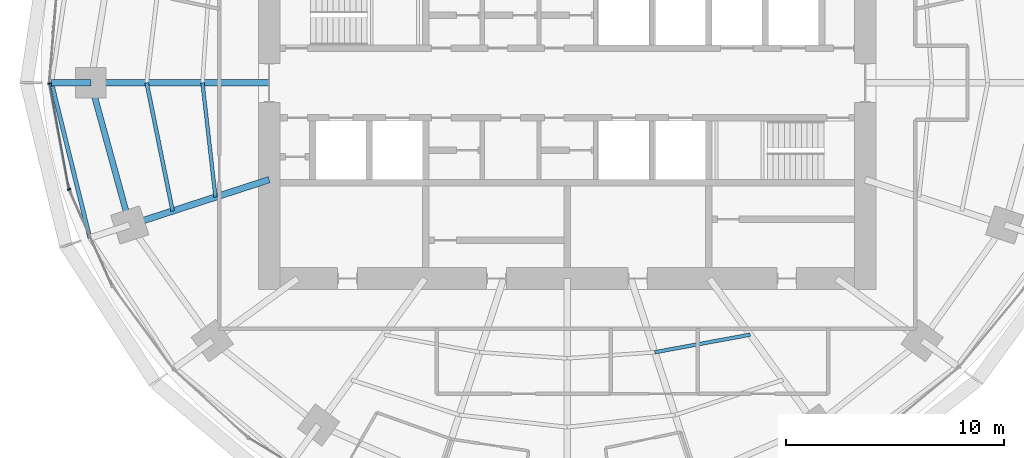
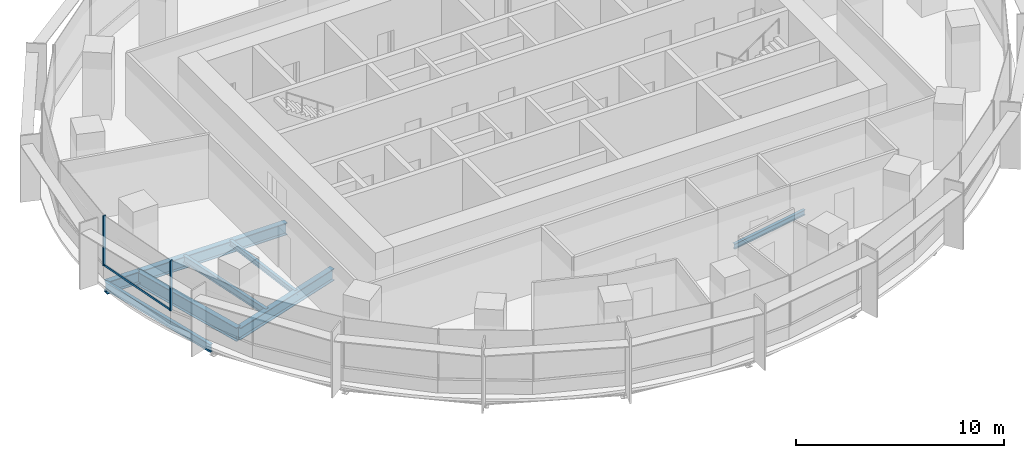
# One storey, part 3 of 15: 8 beams, 3 members, 1 element without a shape of its own.
"""IFC4 building model written with IfcOpenShell, lengths in metres."""

from ifc_helpers import new_model, si_unit, direction, frame, origin, origin_2d, place, context, subcontext, project, spatial, rectangle, i_section, extrude, material, material_profile, profile_set, type_object, element, aggregate, save


model = new_model("IFC4")

# Units and contexts
model_context = context("Model", 3, precision=1e-05, world=origin(), true_north=direction((0.0, 1.0)))
body_context = subcontext(model_context, "Body", "Model", "MODEL_VIEW")
ifc_project = project(units=[si_unit("LENGTHUNIT", "METRE"), si_unit("AREAUNIT", "SQUARE_METRE"), si_unit("VOLUMEUNIT", "CUBIC_METRE"), si_unit("PLANEANGLEUNIT", "RADIAN"), si_unit("MASSUNIT", "GRAM", prefix="KILO")], contexts=[model_context])

# Site, building, storey
site_placement = place(None, origin())
site = spatial("IfcSite", under=ifc_project, at=site_placement, CompositionType="ELEMENT")
building_placement = place(site_placement, origin())
building = spatial("IfcBuilding", under=site, at=building_placement, Name="Marramba Exchange Tower", CompositionType="ELEMENT")
storey_placement = place(building_placement, frame((0.0, 0.0, 226.699951171875)))
storey = spatial("IfcBuildingStorey", under=building, at=storey_placement, Name="L55", CompositionType="ELEMENT", Elevation=226.699951171875)

# Beams
ifc_material_1 = material(Name="Steel AS/NZS 3679.2 grade 300", Category="steel")
ifc_material_profile_1 = material_profile(ifc_material_1, i_section(OverallWidth=0.300048828125, OverallDepth=0.699951171875, WebThickness=0.010009765625, FlangeThickness=0.031982421875, at=origin_2d()), Name="700WB173")
ifc_profile_set_1 = profile_set([ifc_material_profile_1], Name="Steel AS/NZS 3679.2 grade 300")
beam_type_1 = type_object("IfcBeamType", Name="Cantilever girder 700WB173", PredefinedType="BEAM", material=ifc_profile_set_1)
beam_1_placement = place(storey_placement, frame((-21.89990234375, 0.0, -0.510009765625), z_axis=(-1.0, 0.0, 0.0), x_axis=(0.0, -1.0, 0.0)))
element("IfcBeam", 1, at=beam_1_placement, inside=storey, type_object=beam_type_1, Name="Cantilever girder L55 TC11", PredefinedType="BEAM", context=body_context, shape_type="SweptSolid", body=[
    extrude(i_section(OverallWidth=0.300048828125, OverallDepth=0.699951171875, WebThickness=0.010009765625, FlangeThickness=0.031982421875, at=origin_2d()), origin(), (0.0, 0.0, 1.0), 1.80615234375),
])
ifc_material_2 = material(Name="Steel AS/NZS 3679.1 grade 300", Category="steel")
ifc_material_profile_2 = material_profile(ifc_material_2, i_section(OverallWidth=0.166015625, OverallDepth=0.306884765625, WebThickness=0.006591796875, FlangeThickness=0.01171875, FilletRadius=0.011474609375, at=origin_2d()), Name="310UB46.2")
ifc_profile_set_2 = profile_set([ifc_material_profile_2], Name="Steel AS/NZS 3679.1 grade 300")
beam_type_2 = type_object("IfcBeamType", Name="Floor joist 310UB46.2", PredefinedType="JOIST", material=ifc_profile_set_2)
beam_2_placement = place(storey_placement, frame((-16.7666015625, 0.0, -0.3134765625), z_axis=(0.112888968594, -0.993607609054, 0.0), x_axis=(0.993607609054, 0.112888968594, 0.0)))
element("IfcBeam", 2, at=beam_2_placement, inside=storey, type_object=beam_type_2, Name="Joist L55 bay 11 row 1", PredefinedType="JOIST", context=body_context, shape_type="SweptSolid", body=[
    extrude(i_section(OverallWidth=0.166015625, OverallDepth=0.306884765625, WebThickness=0.006591796875, FlangeThickness=0.01171875, FilletRadius=0.011474609375, at=origin_2d()), origin(), (0.0, 0.0, 1.0), 5.28759765625),
])
beam_3_placement = place(storey_placement, frame((4.0244140625, -12.3857421875, -0.3134765625), z_axis=(0.983455754421, 0.181148500119, 0.0), x_axis=(-0.181148500119, 0.983455754421, 0.0)))
element("IfcBeam", 3, at=beam_3_placement, inside=storey, type_object=beam_type_2, Name="Joist L55 bay 17 row 1", PredefinedType="JOIST", context=body_context, shape_type="SweptSolid", body=[
    extrude(i_section(OverallWidth=0.166015625, OverallDepth=0.306884765625, WebThickness=0.006591796875, FlangeThickness=0.01171875, FilletRadius=0.011474609375, at=origin_2d()), origin(), (0.0, 0.0, 1.0), 4.4609375),
])
ifc_material_profile_3 = material_profile(ifc_material_2, i_section(OverallWidth=0.177978515625, OverallDepth=0.406005859375, WebThickness=0.0078125, FlangeThickness=0.0126953125, FilletRadius=0.011474609375, at=origin_2d()), Name="410UB59.7")
ifc_profile_set_3 = profile_set([ifc_material_profile_3], Name="Steel AS/NZS 3679.1 grade 300")
beam_type_3 = type_object("IfcBeamType", Name="Floor joist 410UB59.7", PredefinedType="JOIST", material=ifc_profile_set_3)
beam_4_placement = place(storey_placement, frame((-19.333251953125, 0.0, -0.363037109375), z_axis=(0.198489047047, -0.980103105904, 0.0), x_axis=(0.980103105904, 0.198489047047, 0.0)))
element("IfcBeam", 4, at=beam_4_placement, inside=storey, type_object=beam_type_3, Name="Joist L55 bay 11 row 2", PredefinedType="JOIST", context=body_context, shape_type="SweptSolid", body=[
    extrude(i_section(OverallWidth=0.177978515625, OverallDepth=0.406005859375, WebThickness=0.0078125, FlangeThickness=0.0126953125, FilletRadius=0.011474609375, at=origin_2d()), origin(), (0.0, 0.0, 1.0), 6.013427734375),
])

# Curtain wall, members
ifc_material_3 = material(Name="Aluminium framing, bronze anodised", Category="aluminium")
curtain_wall_type = type_object("IfcCurtainWallType", Name="Office ribbon curtain wall", PredefinedType="USERDEFINED", material=ifc_material_3)
curtain_wall_placement = place(storey_placement, origin())
curtain_wall = element("IfcCurtainWall", 5, at=curtain_wall_placement, inside=storey, type_object=curtain_wall_type, Name="Curtain wall CW4 L55 F16-F20", ObjectType="RIBBON CURTAIN WALL", PredefinedType="USERDEFINED")
ifc_material_4 = material(Name="Aluminium mullion, bronze anodised", Category="aluminium")
ifc_material_profile_4 = material_profile(ifc_material_4, rectangle(XDim=0.159912109375, YDim=0.06005859375, at=origin_2d()), Name="CW4 mullion 60x160")
ifc_profile_set_4 = profile_set([ifc_material_profile_4], Name="Aluminium mullion, bronze anodised")
member_type_1 = type_object("IfcMemberType", Name="Office ribbon curtain wall mullion", PredefinedType="MULLION", material=ifc_profile_set_4)
member_1_placement = place(storey_placement, frame((-23.800537109375, -0.029541015625, 0.800048828125), z_axis=(0.0, 0.0, 1.0), x_axis=(0.983606636184, 0.180327438996, 0.0)))
member_1 = element("IfcMember", 6, at=member_1_placement, type_object=member_type_1, Name="CW4 mullion 1", PredefinedType="MULLION", context=body_context, shape_type="SweptSolid", body=[
    extrude(rectangle(XDim=0.159912109375, YDim=0.06005859375, at=origin_2d()), origin(), (0.0, 0.0, 1.0), 2.93994140625),
])
member_2_placement = place(storey_placement, frame((-22.90087890625, -4.897705078125, 0.800048828125), z_axis=(0.0, 0.0, 1.0), x_axis=(0.913179510401, 0.407557580942, 0.0)))
member_2 = element("IfcMember", 7, at=member_2_placement, type_object=member_type_1, Name="CW4 mullion 1", PredefinedType="MULLION", context=body_context, shape_type="SweptSolid", body=[
    extrude(rectangle(XDim=0.159912109375, YDim=0.06005859375, at=origin_2d()), origin(), (0.0, 0.0, 1.0), 2.93994140625),
])
ifc_material_5 = material(Name="Aluminium transom, bronze anodised", Category="aluminium")
ifc_material_profile_5 = material_profile(ifc_material_5, rectangle(XDim=0.06005859375, YDim=0.1201171875, at=origin_2d()), Name="CW4 transom 60x120")
ifc_profile_set_5 = profile_set([ifc_material_profile_5], Name="Aluminium transom, bronze anodised")
member_type_2 = type_object("IfcMemberType", Name="Office ribbon curtain wall transom", PredefinedType="USERDEFINED", material=ifc_profile_set_5)
member_3_placement = place(storey_placement, frame((-23.795166015625, -0.05908203125, 0.830078125), z_axis=(0.180330283276, -0.98360611473, 0.0), x_axis=(0.98360611473, 0.180330283276, 0.0)))
member_3 = element("IfcMember", 8, at=member_3_placement, type_object=member_type_2, Name="CW4 sill transom", ObjectType="TRANSOM", PredefinedType="USERDEFINED", context=body_context, shape_type="SweptSolid", body=[
    extrude(rectangle(XDim=0.06005859375, YDim=0.1201171875, at=origin_2d()), origin(), (0.0, 0.0, 1.0), 4.891357421875),
])
aggregate(curtain_wall, [member_1, member_3, member_2])

# Beams
ifc_material_profile_6 = material_profile(ifc_material_1, i_section(OverallWidth=0.300048828125, OverallDepth=0.699951171875, WebThickness=0.010009765625, FlangeThickness=0.031982421875, at=origin_2d()), Name="700WB173")
ifc_profile_set_6 = profile_set([ifc_material_profile_6], Name="Steel AS/NZS 3679.2 grade 300")
beam_type_4 = type_object("IfcBeamType", Name="Radial girder 700WB173", PredefinedType="BEAM", material=ifc_profile_set_6)
beam_5_placement = place(storey_placement, frame((-13.699951171875, 0.0, -0.510009765625), z_axis=(-1.0, 0.0, 0.0), x_axis=(0.0, -1.0, 0.0)))
element("IfcBeam", 9, at=beam_5_placement, inside=storey, type_object=beam_type_4, Name="Radial girder L55 TC11", PredefinedType="BEAM", context=body_context, shape_type="SweptSolid", body=[
    extrude(i_section(OverallWidth=0.300048828125, OverallDepth=0.699951171875, WebThickness=0.010009765625, FlangeThickness=0.031982421875, at=origin_2d()), origin(), (0.0, 0.0, 1.0), 8.199951171875),
])
beam_6_placement = place(storey_placement, frame((-13.699951171875, -4.451416015625, -0.510009765625), z_axis=(-0.951057759669, -0.309013167637, 0.0), x_axis=(0.309013167637, -0.951057759669, 0.0)))
element("IfcBeam", 10, at=beam_6_placement, inside=storey, type_object=beam_type_4, Name="Radial girder L55 TC12", PredefinedType="BEAM", context=body_context, shape_type="SweptSolid", body=[
    extrude(i_section(OverallWidth=0.300048828125, OverallDepth=0.699951171875, WebThickness=0.010009765625, FlangeThickness=0.031982421875, at=origin_2d()), origin(), (0.0, 0.0, 1.0), 6.7392578125),
])
ifc_material_profile_7 = material_profile(ifc_material_1, i_section(OverallWidth=0.27490234375, OverallDepth=0.800048828125, WebThickness=0.010009765625, FlangeThickness=0.02490234375, at=origin_2d()), Name="800WB168")
ifc_profile_set_7 = profile_set([ifc_material_profile_7], Name="Steel AS/NZS 3679.2 grade 300")
beam_type_5 = type_object("IfcBeamType", Name="Ring beam 800WB168", PredefinedType="SPANDREL", material=ifc_profile_set_7)
beam_7_placement = place(storey_placement, frame((-21.89990234375, 0.0, -0.56005859375), z_axis=(0.264291166956, -0.964442937176, 0.0), x_axis=(0.964442937176, 0.264291166956, 0.0)))
element("IfcBeam", 11, at=beam_7_placement, inside=storey, type_object=beam_type_5, Name="Ring beam L55 TC11-TC12", PredefinedType="SPANDREL", context=body_context, shape_type="SweptSolid", body=[
    extrude(i_section(OverallWidth=0.27490234375, OverallDepth=0.800048828125, WebThickness=0.010009765625, FlangeThickness=0.02490234375, at=origin_2d()), origin(), (0.0, 0.0, 1.0), 6.77490234375),
])
ifc_material_profile_8 = material_profile(ifc_material_2, i_section(OverallWidth=0.19091796875, OverallDepth=0.4599609375, WebThickness=0.010009765625, FlangeThickness=0.01611328125, FilletRadius=0.011474609375, at=origin_2d()), Name="460UB82.1")
ifc_profile_set_8 = profile_set([ifc_material_profile_8], Name="Steel AS/NZS 3679.1 grade 300")
beam_type_6 = type_object("IfcBeamType", Name="Slab edge beam 460UB82.1", PredefinedType="SPANDREL", material=ifc_profile_set_8)
beam_8_placement = place(storey_placement, frame((-23.7060546875, 0.0, -0.389892578125), z_axis=(0.23973454413, -0.970838476963, 0.0), x_axis=(0.970838476963, 0.23973454413, 0.0)))
element("IfcBeam", 12, at=beam_8_placement, inside=storey, type_object=beam_type_6, Name="Slab edge beam L55 TC11-TC12", PredefinedType="SPANDREL", context=body_context, shape_type="SweptSolid", body=[
    extrude(i_section(OverallWidth=0.19091796875, OverallDepth=0.4599609375, WebThickness=0.010009765625, FlangeThickness=0.01611328125, FilletRadius=0.011474609375, at=origin_2d()), origin(), (0.0, 0.0, 1.0), 7.344482421875),
])

save(model, "model.ifc")
